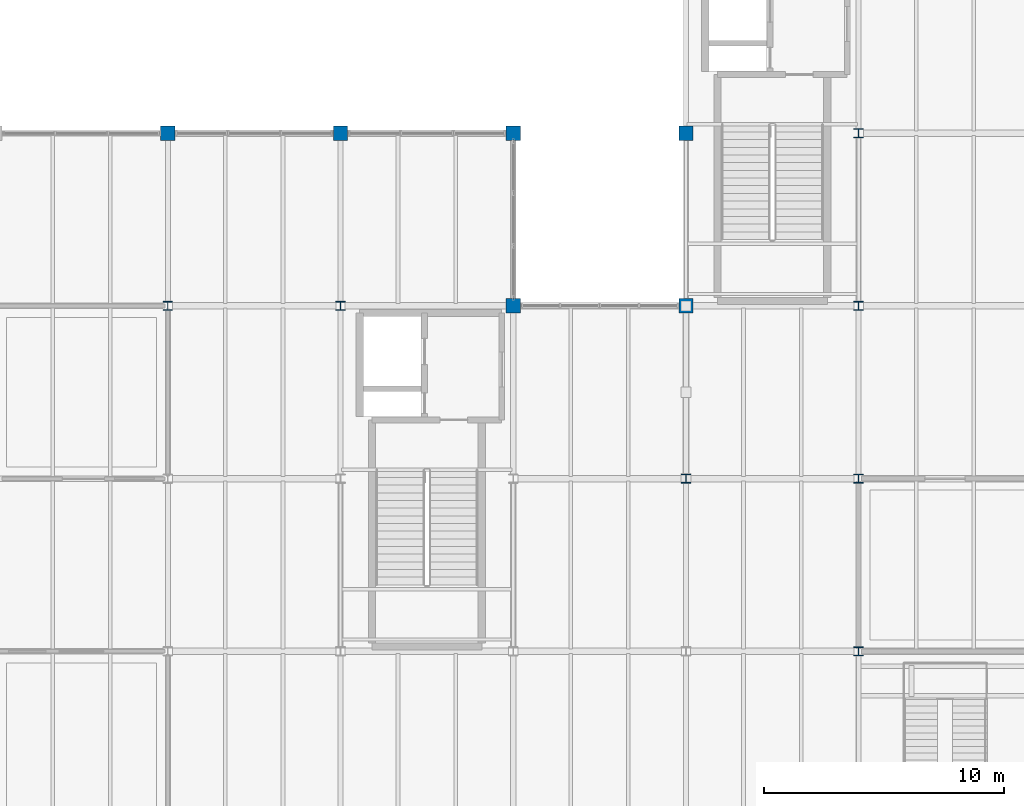
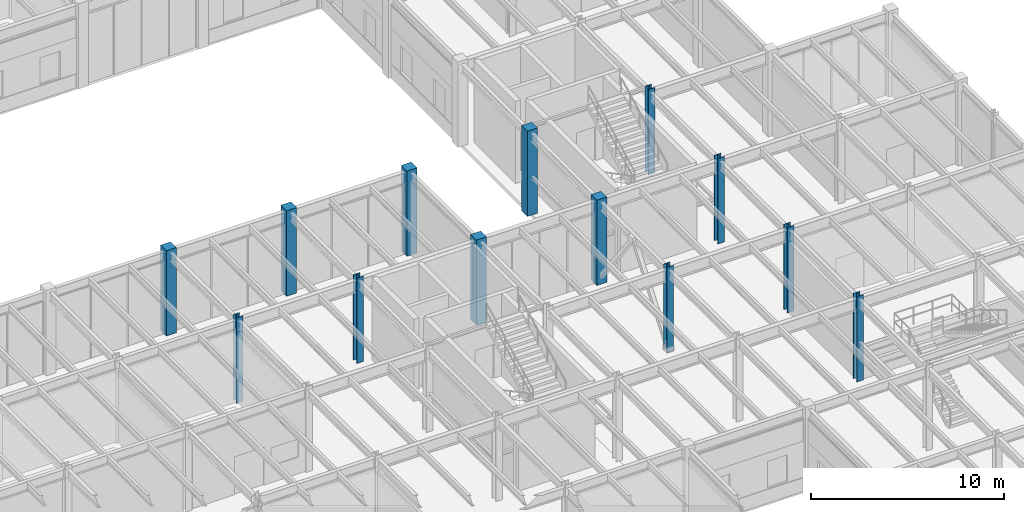
# One storey, part 8 of 97: 13 columns.
"""IFC4 building model written with IfcOpenShell, lengths in metres."""

from ifc_helpers import new_model, si_unit, direction, frame, origin, origin_2d, place, context, subcontext, project, spatial, rectangle, i_section, extrude, material, material_profile, profile_set, type_object, element, save


model = new_model("IFC4")

# Units and contexts
model_context = context("Model", 3, precision=1e-05, world=origin(), true_north=direction((0.0, 1.0)))
body_context = subcontext(model_context, "Body", "Model", "MODEL_VIEW")
ifc_project = project(units=[si_unit("LENGTHUNIT", "METRE"), si_unit("AREAUNIT", "SQUARE_METRE"), si_unit("VOLUMEUNIT", "CUBIC_METRE"), si_unit("PLANEANGLEUNIT", "RADIAN"), si_unit("MASSUNIT", "GRAM", prefix="KILO")], contexts=[model_context])

# Site, building, storey
site_placement = place(None, origin())
site = spatial("IfcSite", under=ifc_project, at=site_placement, CompositionType="ELEMENT")
building_placement = place(site_placement, origin())
building = spatial("IfcBuilding", under=site, at=building_placement, Name="Sillqori Civic Hall", CompositionType="ELEMENT")
storey_placement = place(building_placement, origin())
storey = spatial("IfcBuildingStorey", under=building, at=storey_placement, Name="L01", CompositionType="ELEMENT", Elevation=0.0)

# Columns
ifc_material_1 = material(Name="Concrete C35/45 (H35)", Category="concrete")
ifc_material_profile_1 = material_profile(ifc_material_1, rectangle(XDim=0.60009765625, YDim=0.60009765625, at=origin_2d()), Name="RC 600x600")
ifc_profile_set_1 = profile_set([ifc_material_profile_1], Name="Concrete C35/45 (H35)")
column_type_1 = type_object("IfcColumnType", Name="COL-RC600", PredefinedType="COLUMN", material=ifc_profile_set_1)
for number, where, z_axis, x_axis, name in (
    (1, (100.800048828125, 57.60009765625, 0.0), (0.0, 0.0, 1.0), (1.0, 0.0, 0.0), "L01 column 14-8"),
    (2, (108.0, 57.60009765625, 0.0), (0.0, 0.0, 1.0), (1.0, 0.0, 0.0), "L01 column 15-8"),
    (3, (115.199951171875, 50.39990234375, 0.0), (0.0, 0.0, 1.0), (1.0, 0.0, 0.0), "L01 column 16-7"),
    (4, (115.199951171875, 57.60009765625, 0.0), (0.0, 0.0, 1.0), (1.0, 0.0, 0.0), "L01 column 16-8"),
    (5, (122.39990234375, 50.39990234375, 0.0), (0.0, 0.0, 1.0), (1.0, 0.0, 0.0), "L01 column 17-7"),
    (6, (122.39990234375, 57.60009765625, 0.0), (0.0, 0.0, 1.0), (1.0, 0.0, 0.0), "L01 column 17-8"),
):
    element("IfcColumn", number, at=place(storey_placement, frame(where, z_axis=z_axis, x_axis=x_axis)), inside=storey, type_object=column_type_1, Name=name, PredefinedType="COLUMN", context=body_context, shape_type="SweptSolid", body=[
        extrude(rectangle(XDim=0.60009765625, YDim=0.60009765625, at=origin_2d()), origin(), (0.0, 0.0, 1.0), 5.39990234375),
    ])
ifc_material_2 = material(Name="Steel ASTM A992", Category="steel")
ifc_material_profile_2 = material_profile(ifc_material_2, i_section(OverallWidth=0.39404296875, OverallDepth=0.3759765625, WebThickness=0.017333984375, FlangeThickness=0.027587890625, FilletRadius=0.014892578125, at=origin_2d()), Name="W14X145")
ifc_profile_set_2 = profile_set([ifc_material_profile_2], Name="Steel ASTM A992")
column_type_2 = type_object("IfcColumnType", Name="COL-W14X145", PredefinedType="COLUMN", material=ifc_profile_set_2)
for number, where, z_axis, x_axis, name in (
    (7, (100.800048828125, 50.39990234375, 0.0), (0.0, 0.0, 1.0), (1.0, 0.0, 0.0), "L01 column 14-7"),
    (8, (108.0, 50.39990234375, 0.0), (0.0, 0.0, 1.0), (1.0, 0.0, 0.0), "L01 column 15-7"),
    (9, (122.39990234375, 43.199951171875, 0.0), (0.0, 0.0, 1.0), (1.0, 0.0, 0.0), "L01 column 17-6"),
    (10, (129.60009765625, 36.0, 0.0), (0.0, 0.0, 1.0), (1.0, 0.0, 0.0), "L01 column 18-5"),
    (11, (129.60009765625, 43.199951171875, 0.0), (0.0, 0.0, 1.0), (1.0, 0.0, 0.0), "L01 column 18-6"),
    (12, (129.60009765625, 50.39990234375, 0.0), (0.0, 0.0, 1.0), (1.0, 0.0, 0.0), "L01 column 18-7"),
    (13, (129.60009765625, 57.60009765625, 0.0), (0.0, 0.0, 1.0), (1.0, 0.0, 0.0), "L01 column 18-8"),
):
    element("IfcColumn", number, at=place(storey_placement, frame(where, z_axis=z_axis, x_axis=x_axis)), inside=storey, type_object=column_type_2, Name=name, PredefinedType="COLUMN", context=body_context, shape_type="SweptSolid", body=[
        extrude(i_section(OverallWidth=0.39404296875, OverallDepth=0.3759765625, WebThickness=0.017333984375, FlangeThickness=0.027587890625, FilletRadius=0.014892578125, at=origin_2d()), origin(), (0.0, 0.0, 1.0), 5.39990234375),
    ])

save(model, "model.ifc")
